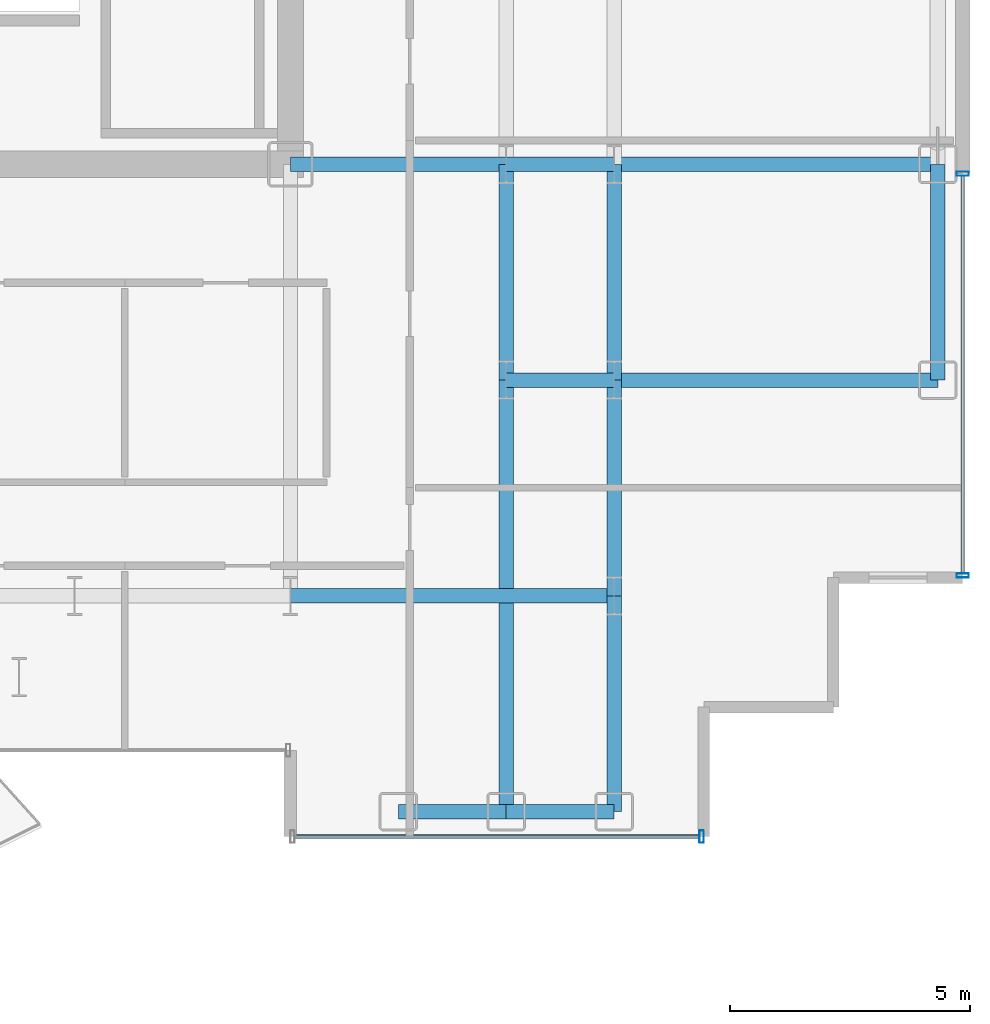
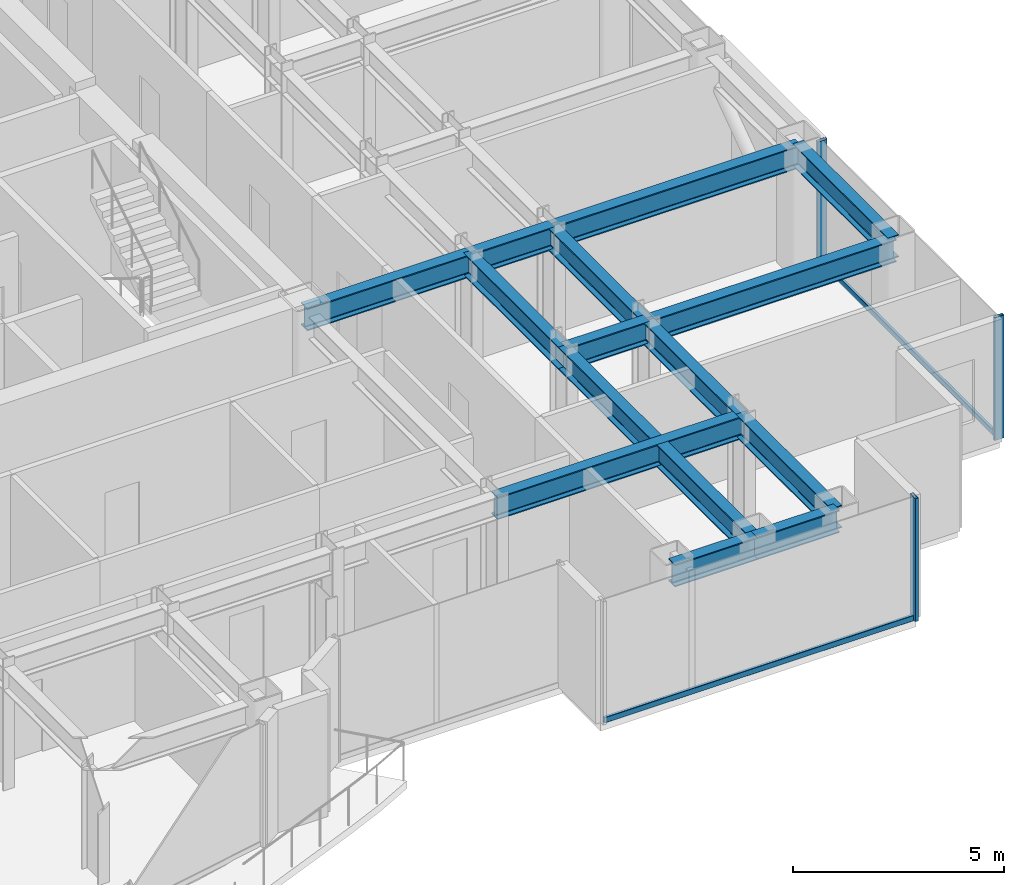
# One storey, part 10 of 26: 14 beams, 5 members, 2 elements without a shape of their own.
"""IFC4 building model written with IfcOpenShell, lengths in metres."""

import ifcopenshell
import ifcopenshell.guid

model = None  # the IFC model being written
_history = None  # IfcOwnerHistory: only IFC2X3 demands one
_inside = {}  # id of a spatial element -> (the spatial element, [elements in it])
_under = {}  # id of a project, library or spatial element -> (it, [spatial elements below it])
_declared = {}  # id of a project -> (the project, [libraries it declares])
_typed = {}  # id of a type object -> (the type object, [elements of that type])
_made_of = {}  # id of a material, layer set ... -> (it, [elements and type objects made of it])


def new_model(schema):
    """Start an empty IFC model of exactly this schema.

    Asked for "IFC4X3", IfcOpenShell would pick the latest addendum, in which some entities
    have other attributes; the version numbers below select the first issue.
    IFC2X3 requires an IfcOwnerHistory on every rooted entity: one is made here for all.
    """
    global model, _history
    if schema == "IFC4X3":
        model = ifcopenshell.file(schema_version=(4, 3, 0, 0))
    else:
        model = ifcopenshell.file(schema=schema)
    _inside.clear()
    _under.clear()
    _declared.clear()
    _typed.clear()
    _made_of.clear()
    _history = None
    if model.schema == "IFC2X3":
        org = make("IfcOrganization", Name="unknown")
        user = make(
            "IfcPersonAndOrganization",
            ThePerson=make("IfcPerson", FamilyName="unknown"),
            TheOrganization=org,
        )
        app = make(
            "IfcApplication",
            ApplicationDeveloper=org,
            Version="unknown",
            ApplicationFullName="unknown",
            ApplicationIdentifier="unknown",
        )
        _history = make(
            "IfcOwnerHistory",
            OwningUser=user,
            OwningApplication=app,
            ChangeAction="ADDED",
            CreationDate=0,
        )
    return model


def make(cls, **values):
    """One entity of the class cls with the attributes given. An attribute that is None is left unset."""
    return model.create_entity(
        cls, **{name: value for name, value in values.items() if value is not None}
    )


def rooted(cls, **values):
    """An entity with a GlobalId (a new one), such as an element, a storey or a relation."""
    return make(cls, GlobalId=ifcopenshell.guid.new(), OwnerHistory=_history, **values)


def si_unit(unit_type, name, prefix=None):
    """IfcSIUnit, for example si_unit("LENGTHUNIT", "METRE", prefix="MILLI")."""
    return make("IfcSIUnit", UnitType=unit_type, Prefix=prefix, Name=name)


def assignment(units):
    """IfcUnitAssignment: the units of a project."""
    return None if units is None else make("IfcUnitAssignment", Units=units)


def point(xyz):
    """IfcCartesianPoint."""
    return None if xyz is None else make("IfcCartesianPoint", Coordinates=xyz)


def direction(xyz):
    """IfcDirection."""
    return None if xyz is None else make("IfcDirection", DirectionRatios=xyz)


def frame(location, z_axis=None, x_axis=None):
    """IfcAxis2Placement3D, a coordinate frame: its origin and axes. An axis left out is left unset."""
    return make(
        "IfcAxis2Placement3D",
        Location=point(location),
        Axis=direction(z_axis),
        RefDirection=direction(x_axis),
    )


def frame_2d(location, x_axis=None):
    """IfcAxis2Placement2D, a coordinate frame in the plane: its origin and x axis."""
    return make(
        "IfcAxis2Placement2D", Location=point(location), RefDirection=direction(x_axis)
    )


def origin():
    """The frame at (0, 0, 0) with its axes left unset."""
    return frame((0.0, 0.0, 0.0))


def origin_2d():
    """The frame at (0, 0) in the plane with its x axis left unset."""
    return frame_2d((0.0, 0.0))


def place(relative_to, where):
    """IfcLocalPlacement: puts the frame where relative to a parent placement (None: the world)."""
    return make(
        "IfcLocalPlacement", PlacementRelTo=relative_to, RelativePlacement=where
    )


def context(
    kind, dimensions, precision=None, world=None, true_north=None, identifier=None
):
    """IfcGeometricRepresentationContext, for example the 3D "Model" context."""
    return make(
        "IfcGeometricRepresentationContext",
        ContextIdentifier=identifier,
        ContextType=kind,
        CoordinateSpaceDimension=dimensions,
        Precision=precision,
        WorldCoordinateSystem=world,
        TrueNorth=true_north,
    )


def subcontext(parent, identifier, kind, view, scale=None):
    """IfcGeometricRepresentationSubContext, for example "Body" below "Model"."""
    return make(
        "IfcGeometricRepresentationSubContext",
        ContextIdentifier=identifier,
        ContextType=kind,
        ParentContext=parent,
        TargetScale=scale,
        TargetView=view,
    )


def project(units=None, contexts=None):
    """IfcProject with its units and contexts."""
    return rooted(
        "IfcProject",
        Name="project",
        RepresentationContexts=contexts,
        UnitsInContext=assignment(units),
    )


def spatial(cls, under=None, at=None, **own):
    """A site, building, storey or space (cls), placed at a placement, below another one or the project."""
    s = rooted(cls, ObjectPlacement=at, **own)
    if under is not None:
        _under.setdefault(under.id(), (under, []))[1].append(s)
    return s


def profile(cls, at=None, kind="AREA", **sizes):
    """A parametric profile (cls). Its sizes go by their IFC names, for example OverallWidth=200.0."""
    return make(cls, ProfileType=kind, Position=at, **sizes)


def hollow_rectangle(**sizes):
    """IfcRectangleHollowProfileDef."""
    return profile("IfcRectangleHollowProfileDef", **sizes)


def i_section(**sizes):
    """IfcIShapeProfileDef."""
    return profile("IfcIShapeProfileDef", **sizes)


def extrude(swept, where, along, depth):
    """IfcExtrudedAreaSolid: the profile swept, set in the frame where, extruded along a direction by depth."""
    return make(
        "IfcExtrudedAreaSolid",
        SweptArea=swept,
        Position=where,
        ExtrudedDirection=direction(along),
        Depth=depth,
    )


def shape(context_of_items, identifier, shape_type, items):
    """IfcShapeRepresentation: the items that make up one representation, for example the "Body"."""
    return make(
        "IfcShapeRepresentation",
        ContextOfItems=context_of_items,
        RepresentationIdentifier=identifier,
        RepresentationType=shape_type,
        Items=items,
    )


def source(mapping_origin, context_of_items, identifier, shape_type, items):
    """IfcRepresentationMap: a shape defined once, which mapped items show again and again."""
    return make(
        "IfcRepresentationMap",
        MappingOrigin=mapping_origin,
        MappedRepresentation=shape(context_of_items, identifier, shape_type, items),
    )


def transform(
    local_origin,
    x_axis=None,
    y_axis=None,
    z_axis=None,
    scale=None,
    scale2=None,
    scale3=None,
    uniform=True,
):
    """IfcCartesianTransformationOperator3D, or its non-uniform kind. x_axis, y_axis, z_axis: its Axis1, 2, 3."""
    if uniform:
        return make(
            "IfcCartesianTransformationOperator3D",
            Axis1=direction(x_axis),
            Axis2=direction(y_axis),
            LocalOrigin=point(local_origin),
            Scale=scale,
            Axis3=direction(z_axis),
        )
    return make(
        "IfcCartesianTransformationOperator3DnonUniform",
        Axis1=direction(x_axis),
        Axis2=direction(y_axis),
        LocalOrigin=point(local_origin),
        Scale=scale,
        Axis3=direction(z_axis),
        Scale2=scale2,
        Scale3=scale3,
    )


def mapped(mapping_source, mapping_target):
    """IfcMappedItem: shows the shape of a source again, moved by a transform."""
    return make(
        "IfcMappedItem", MappingSource=mapping_source, MappingTarget=mapping_target
    )


def material(Name=None, Category=None):
    """IfcMaterial."""
    return make("IfcMaterial", Name=Name, Category=Category)


def layer(
    of_material, thickness, ventilated=None, Name=None, Category=None, Priority=None
):
    """IfcMaterialLayer: one layer of a wall or slab, of a material (None: an air gap)."""
    return make(
        "IfcMaterialLayer",
        Material=of_material,
        LayerThickness=thickness,
        IsVentilated=ventilated,
        Name=Name,
        Category=Category,
        Priority=Priority,
    )


def layer_set(layers, Name=None):
    """IfcMaterialLayerSet."""
    return make("IfcMaterialLayerSet", MaterialLayers=layers, LayerSetName=Name)


def material_profile(
    of_material, cross_section, Name=None, Category=None, Priority=None
):
    """IfcMaterialProfile: a cross section and its material."""
    return make(
        "IfcMaterialProfile",
        Name=Name,
        Material=of_material,
        Profile=cross_section,
        Priority=Priority,
        Category=Category,
    )


def profile_set(profiles, Name=None, composite=None):
    """IfcMaterialProfileSet."""
    return make(
        "IfcMaterialProfileSet",
        Name=Name,
        MaterialProfiles=profiles,
        CompositeProfile=composite,
    )


def made_of(thing, what):
    """Note that an element or type object is made of a material, layer set ...; save() writes the relation."""
    if what is not None:
        _made_of.setdefault(what.id(), (what, []))[1].append(thing)
    return thing


def type_object(cls, material=None, **own):
    """A type object (cls), such as IfcWallType, which elements share."""
    return made_of(rooted(cls, **own), material)


def element(
    cls,
    number,
    at=None,
    inside=None,
    cuts=None,
    type_object=None,
    material=None,
    context=None,
    identifier="Body",
    shape_type=None,
    held_by="IfcProductDefinitionShape",
    body=None,
    shapes=None,
    **own,
):
    """One element of the class cls, such as IfcWall. Its Tag is "e" and its number.

    at: its placement. inside: the storey or other place that contains it. cuts: it is an
    opening in that element (IfcRelVoidsElement). A single representation is given by context,
    identifier, shape_type and body (its items); several are given by shapes. held_by: the class
    of the entity that holds the representations. save() writes the other relations.
    """
    e = rooted(cls, Tag="e%d" % number, ObjectPlacement=at, **own)
    if body is not None:
        shapes = [shape(context, identifier, shape_type, body)]
    if shapes is not None:
        e.Representation = make(held_by, Representations=shapes)
    if inside is not None:
        _inside.setdefault(inside.id(), (inside, []))[1].append(e)
    if cuts is not None:
        rooted(
            "IfcRelVoidsElement", RelatingBuildingElement=cuts, RelatedOpeningElement=e
        )
    if type_object is not None:
        _typed.setdefault(type_object.id(), (type_object, []))[1].append(e)
    return made_of(e, material)


def aggregate(whole, parts):
    """IfcRelAggregates: a whole, such as a stair, and the parts it consists of."""
    return rooted("IfcRelAggregates", RelatingObject=whole, RelatedObjects=parts)


def save(model, path):
    """Write the relations noted so far, then the file.

    IfcRelAggregates (storeys below a building ...), IfcRelContainedInSpatialStructure (elements
    in a storey), IfcRelDefinesByType, IfcRelAssociatesMaterial and IfcRelDeclares: one each for
    every whole, place, type object, material and project.
    """
    for whole, parts in _under.values():
        aggregate(whole, parts)
    for where, things in _inside.values():
        rooted(
            "IfcRelContainedInSpatialStructure",
            RelatedElements=things,
            RelatingStructure=where,
        )
    for kind, things in _typed.values():
        rooted("IfcRelDefinesByType", RelatedObjects=things, RelatingType=kind)
    for what, things in _made_of.values():
        rooted("IfcRelAssociatesMaterial", RelatedObjects=things, RelatingMaterial=what)
    for by, libraries in _declared.values():
        rooted("IfcRelDeclares", RelatingContext=by, RelatedDefinitions=libraries)
    model.write(path)


model = new_model("IFC4")

# Units and contexts
model_context = context("Model", 3, precision=1e-05, world=origin(), true_north=direction((0.0, 1.0)))
body_context = subcontext(model_context, "Body", "Model", "MODEL_VIEW")
ifc_project = project(units=[si_unit("LENGTHUNIT", "METRE"), si_unit("AREAUNIT", "SQUARE_METRE"), si_unit("VOLUMEUNIT", "CUBIC_METRE"), si_unit("PLANEANGLEUNIT", "RADIAN"), si_unit("MASSUNIT", "GRAM", prefix="KILO")], contexts=[model_context])

# Site, building, storey
site_placement = place(None, origin())
site = spatial("IfcSite", under=ifc_project, at=site_placement, CompositionType="ELEMENT")
building_placement = place(site_placement, origin())
building = spatial("IfcBuilding", under=site, at=building_placement, Name="Nefas-Gora Pilgrimage Tower", CompositionType="ELEMENT")
storey_placement = place(building_placement, frame((0.0, 0.0, 171.60009765625)))
storey = spatial("IfcBuildingStorey", under=building, at=storey_placement, Name="L42", CompositionType="ELEMENT", Elevation=171.60009765625)

# Beams
ifc_material_1 = material(Name="Steel S355", Category="steel")
ifc_material_profile_1 = material_profile(ifc_material_1, i_section(OverallWidth=0.300048828125, OverallDepth=0.64990234375, WebThickness=0.01611328125, FlangeThickness=0.031005859375, FilletRadius=0.027099609375, at=origin_2d()), Name="HEB 650")
ifc_profile_set_1 = profile_set([ifc_material_profile_1], Name="Steel S355")
beam_type_1 = type_object("IfcBeamType", Name="BM-SPN-HEB500", PredefinedType="SPANDREL", material=ifc_profile_set_1)
shared_shape_1 = source(origin(), body_context, "Body", "SweptSolid", [
    extrude(i_section(OverallWidth=0.300048828125, OverallDepth=0.64990234375, WebThickness=0.01611328125, FlangeThickness=0.031005859375, FilletRadius=0.027099609375, at=origin_2d()), origin(), (0.0, 0.0, 1.0), 4.5),
])
beam_1_placement = place(storey_placement, frame((24.75, -13.5, 3.224853515625), z_axis=(0.0, 1.0, 0.0), x_axis=(-1.0, 0.0, 0.0)))
element("IfcBeam", 1, at=beam_1_placement, inside=storey, type_object=beam_type_1, Name="L42 SP-02 beam", PredefinedType="SPANDREL", context=body_context, shape_type="MappedRepresentation", body=[
    mapped(shared_shape_1, transform((0.0, 0.0, 0.0), x_axis=(1.0, 0.0, 0.0), y_axis=(0.0, 1.0, 0.0), z_axis=(0.0, 0.0, 1.0), scale=1.0)),
])
ifc_material_profile_2 = material_profile(ifc_material_1, i_section(OverallWidth=0.300048828125, OverallDepth=0.64990234375, WebThickness=0.01611328125, FlangeThickness=0.031005859375, FilletRadius=0.027099609375, at=origin_2d()), Name="HEB 650")
ifc_profile_set_2 = profile_set([ifc_material_profile_2], Name="Steel S355")
beam_type_2 = type_object("IfcBeamType", Name="BM-GIR-HEB650", PredefinedType="BEAM", material=ifc_profile_set_2)
shared_shape_2 = source(origin(), body_context, "Body", "SweptSolid", [
    extrude(i_section(OverallWidth=0.300048828125, OverallDepth=0.64990234375, WebThickness=0.01611328125, FlangeThickness=0.031005859375, FilletRadius=0.027099609375, at=origin_2d()), origin(), (0.0, 0.0, 1.0), 9.0),
])
beam_2_placement = place(storey_placement, frame((15.75, -22.5, 3.224853515625), z_axis=(0.0, 1.0, 0.0), x_axis=(-1.0, 0.0, 0.0)))
element("IfcBeam", 2, at=beam_2_placement, inside=storey, type_object=beam_type_2, Name="L42 G-03 beam", PredefinedType="BEAM", context=body_context, shape_type="MappedRepresentation", body=[
    mapped(shared_shape_2, transform((0.0, 0.0, 0.0), x_axis=(1.0, 0.0, 0.0), y_axis=(0.0, 1.0, 0.0), z_axis=(0.0, 0.0, 1.0), scale=1.0)),
])
shared_shape_3 = source(origin(), body_context, "Body", "SweptSolid", [
    extrude(i_section(OverallWidth=0.300048828125, OverallDepth=0.64990234375, WebThickness=0.01611328125, FlangeThickness=0.031005859375, FilletRadius=0.027099609375, at=origin_2d()), origin(), (0.0, 0.0, 1.0), 4.5),
])
for number, where, z_axis, x_axis, name in (
    (3, (11.25, -9.0, 3.224853515625), (1.0, 0.0, 0.0), (0.0, 1.0, 0.0), "L42 G-03 beam"),
    (4, (15.75, -13.5, 3.224853515625), (0.0, 1.0, 0.0), (-1.0, 0.0, 0.0), "L42 G-03 beam"),
    (5, (18.0, -22.5, 3.224853515625), (0.0, 1.0, 0.0), (-1.0, 0.0, 0.0), "L42 G-03 beam"),
    (6, (18.0, -18.0, 3.224853515625), (0.0, 1.0, 0.0), (-1.0, 0.0, 0.0), "L42 G-03 beam"),
    (7, (18.0, -13.5, 3.224853515625), (0.0, 1.0, 0.0), (-1.0, 0.0, 0.0), "L42 G-03 beam"),
):
    element("IfcBeam", number, at=place(storey_placement, frame(where, z_axis=z_axis, x_axis=x_axis)), inside=storey, type_object=beam_type_2, Name=name, PredefinedType="BEAM", context=body_context, shape_type="MappedRepresentation", body=[
        mapped(shared_shape_3, transform((0.0, 0.0, 0.0), x_axis=(1.0, 0.0, 0.0), y_axis=(0.0, 1.0, 0.0), z_axis=(0.0, 0.0, 1.0), scale=1.0)),
    ])
shared_shape_4 = source(origin(), body_context, "Body", "SweptSolid", [
    extrude(i_section(OverallWidth=0.300048828125, OverallDepth=0.64990234375, WebThickness=0.01611328125, FlangeThickness=0.031005859375, FilletRadius=0.027099609375, at=origin_2d()), origin(), (0.0, 0.0, 1.0), 6.75),
])
for number, where, z_axis, x_axis, name in (
    (8, (11.25, -18.0, 3.224853515625), (1.0, 0.0, 0.0), (0.0, 1.0, 0.0), "L42 G-03 beam"),
    (9, (18.0, -13.5, 3.224853515625), (1.0, 0.0, 0.0), (0.0, 1.0, 0.0), "L42 G-03 beam"),
    (10, (18.0, -9.0, 3.224853515625), (1.0, 0.0, 0.0), (0.0, 1.0, 0.0), "L42 G-03 beam"),
):
    element("IfcBeam", number, at=place(storey_placement, frame(where, z_axis=z_axis, x_axis=x_axis)), inside=storey, type_object=beam_type_2, Name=name, PredefinedType="BEAM", context=body_context, shape_type="MappedRepresentation", body=[
        mapped(shared_shape_4, transform((0.0, 0.0, 0.0), x_axis=(1.0, 0.0, 0.0), y_axis=(0.0, 1.0, 0.0), z_axis=(0.0, 0.0, 1.0), scale=1.0)),
    ])
shared_shape_5 = source(origin(), body_context, "Body", "SweptSolid", [
    extrude(i_section(OverallWidth=0.300048828125, OverallDepth=0.64990234375, WebThickness=0.01611328125, FlangeThickness=0.031005859375, FilletRadius=0.027099609375, at=origin_2d()), origin(), (0.0, 0.0, 1.0), 2.25),
])
for number, where, z_axis, x_axis, name in (
    (11, (13.5, -22.5, 3.224853515625), (1.0, 0.0, 0.0), (0.0, 1.0, 0.0), "L42 SP-02 beam"),
    (12, (15.75, -22.5, 3.224853515625), (1.0, 0.0, 0.0), (0.0, 1.0, 0.0), "L42 SP-02 beam"),
):
    element("IfcBeam", number, at=place(storey_placement, frame(where, z_axis=z_axis, x_axis=x_axis)), inside=storey, type_object=beam_type_1, Name=name, PredefinedType="SPANDREL", context=body_context, shape_type="MappedRepresentation", body=[
        mapped(shared_shape_5, transform((0.0, 0.0, 0.0), x_axis=(1.0, 0.0, 0.0), y_axis=(0.0, 1.0, 0.0), z_axis=(0.0, 0.0, 1.0), scale=1.0)),
    ])
shared_shape_6 = source(origin(), body_context, "Body", "SweptSolid", [
    extrude(i_section(OverallWidth=0.300048828125, OverallDepth=0.64990234375, WebThickness=0.01611328125, FlangeThickness=0.031005859375, FilletRadius=0.027099609375, at=origin_2d()), origin(), (0.0, 0.0, 1.0), 2.25),
])
for number, where, z_axis, x_axis, name in (
    (13, (15.75, -13.5, 3.224853515625), (1.0, 0.0, 0.0), (0.0, 1.0, 0.0), "L42 G-03 beam"),
    (14, (15.75, -9.0, 3.224853515625), (1.0, 0.0, 0.0), (0.0, 1.0, 0.0), "L42 G-03 beam"),
):
    element("IfcBeam", number, at=place(storey_placement, frame(where, z_axis=z_axis, x_axis=x_axis)), inside=storey, type_object=beam_type_2, Name=name, PredefinedType="BEAM", context=body_context, shape_type="MappedRepresentation", body=[
        mapped(shared_shape_6, transform((0.0, 0.0, 0.0), x_axis=(1.0, 0.0, 0.0), y_axis=(0.0, 1.0, 0.0), z_axis=(0.0, 0.0, 1.0), scale=1.0)),
    ])

# Curtain wall, member
ifc_material_2 = material(Name="Dark ceramic-fritted solar-control aluminium-glass curtain wall", Category="aluminium")
ifc_layer = layer(ifc_material_2, 0.219970703125)
ifc_layer_set = layer_set([ifc_layer], Name="Dark ceramic-fritted solar-control aluminium-glass curtain wall")
curtain_wall_type = type_object("IfcCurtainWallType", Name="CW-SYS-3", PredefinedType="NOTDEFINED", material=ifc_layer_set)
curtain_wall_1_placement = place(storey_placement, origin())
curtain_wall_1 = element("IfcCurtainWall", 15, at=curtain_wall_1_placement, inside=storey, type_object=curtain_wall_type, Name="L42 Unitised Curtain Wall CW3", PredefinedType="NOTDEFINED")
ifc_material_3 = material(Name="Anodised architectural aluminium", Category="aluminium")
ifc_material_profile_3 = material_profile(ifc_material_3, hollow_rectangle(XDim=0.080078125, YDim=0.159912109375, WallThickness=0.00439453125, InnerFilletRadius=0.00439453125, OuterFilletRadius=0.009033203125, at=origin_2d()), Name="ALU TRANSOM 80x160")
ifc_profile_set_3 = profile_set([ifc_material_profile_3], Name="Anodised architectural aluminium")
member_type_1 = type_object("IfcMemberType", Name="CWM-TRN-3", PredefinedType="USERDEFINED", material=ifc_profile_set_3)
shared_shape_7 = source(origin(), body_context, "Body", "SweptSolid", [
    extrude(hollow_rectangle(XDim=0.080078125, YDim=0.159912109375, WallThickness=0.00439453125, InnerFilletRadius=0.00439453125, OuterFilletRadius=0.009033203125, at=origin_2d()), origin(), (0.0, 0.0, 1.0), 8.43994140625),
])
member_1_placement = place(storey_placement, frame((11.340087890625, -23.02001953125, 0.0498046875), z_axis=(1.0, 0.0, 0.0), x_axis=(0.0, 1.0, 0.0)))
member_1 = element("IfcMember", 16, at=member_1_placement, type_object=member_type_1, Name="CW3 Spandrel Transom", ObjectType="TRANSOM", PredefinedType="USERDEFINED", context=body_context, shape_type="MappedRepresentation", body=[
    mapped(shared_shape_7, transform((0.0, 0.0, 0.0), x_axis=(1.0, 0.0, 0.0), y_axis=(0.0, 1.0, 0.0), z_axis=(0.0, 0.0, 1.0), scale=1.0)),
])

curtain_wall_2_placement = place(storey_placement, origin())
curtain_wall_2 = element("IfcCurtainWall", 17, at=curtain_wall_2_placement, inside=storey, type_object=curtain_wall_type, Name="L42 Unitised Curtain Wall CW3", PredefinedType="NOTDEFINED")
shared_shape_8 = source(origin(), body_context, "Body", "SweptSolid", [
    extrude(hollow_rectangle(XDim=0.080078125, YDim=0.159912109375, WallThickness=0.00439453125, InnerFilletRadius=0.00439453125, OuterFilletRadius=0.009033203125, at=origin_2d()), origin(), (0.0, 0.0, 1.0), 8.2900390625),
])
member_2_placement = place(storey_placement, frame((25.27001953125, -17.530029296875, 0.0498046875), z_axis=(0.0, 1.0, 0.0), x_axis=(-1.0, 0.0, 0.0)))
member_2 = element("IfcMember", 18, at=member_2_placement, type_object=member_type_1, Name="CW3 Spandrel Transom", ObjectType="TRANSOM", PredefinedType="USERDEFINED", context=body_context, shape_type="MappedRepresentation", body=[
    mapped(shared_shape_8, transform((0.0, 0.0, 0.0), x_axis=(1.0, 0.0, 0.0), y_axis=(0.0, 1.0, 0.0), z_axis=(0.0, 0.0, 1.0), scale=1.0)),
])

# Member
ifc_material_profile_4 = material_profile(ifc_material_3, hollow_rectangle(XDim=0.090087890625, YDim=0.260009765625, WallThickness=0.006103515625, InnerFilletRadius=0.006103515625, OuterFilletRadius=0.011962890625, at=origin_2d()), Name="ALU MULLION 90x260")
ifc_profile_set_4 = profile_set([ifc_material_profile_4], Name="Anodised architectural aluminium")
member_type_2 = type_object("IfcMemberType", Name="CWM-MUL-3", PredefinedType="MULLION", material=ifc_profile_set_4)
shared_shape_9 = source(origin(), body_context, "Body", "SweptSolid", [
    extrude(hollow_rectangle(XDim=0.090087890625, YDim=0.260009765625, WallThickness=0.006103515625, InnerFilletRadius=0.006103515625, OuterFilletRadius=0.011962890625, at=origin_2d()), origin(), (0.0, 0.0, 1.0), 3.5498046875),
])
member_3_placement = place(storey_placement, frame((19.824951171875, -23.02001953125, 0.0), z_axis=(0.0, 0.0, 1.0), x_axis=(1.0, 0.0, 0.0)))
member_3 = element("IfcMember", 19, at=member_3_placement, type_object=member_type_2, Name="CW3 Mullion 2", PredefinedType="MULLION", context=body_context, shape_type="MappedRepresentation", body=[
    mapped(shared_shape_9, transform((0.0, 0.0, 0.0), x_axis=(1.0, 0.0, 0.0), y_axis=(0.0, 1.0, 0.0), z_axis=(0.0, 0.0, 1.0), scale=1.0)),
])

aggregate(curtain_wall_1, [member_3, member_1])

member_4_placement = place(storey_placement, frame((25.27001953125, -17.574951171875, 0.0), z_axis=(0.0, 0.0, 1.0), x_axis=(0.0, 1.0, 0.0)))
member_4 = element("IfcMember", 20, at=member_4_placement, type_object=member_type_2, Name="CW3 Mullion 1", PredefinedType="MULLION", context=body_context, shape_type="MappedRepresentation", body=[
    mapped(shared_shape_9, transform((0.0, 0.0, 0.0), x_axis=(1.0, 0.0, 0.0), y_axis=(0.0, 1.0, 0.0), z_axis=(0.0, 0.0, 1.0), scale=1.0)),
])

member_5_placement = place(storey_placement, frame((25.27001953125, -9.195068359375, 0.0), z_axis=(0.0, 0.0, 1.0), x_axis=(0.0, 1.0, 0.0)))
member_5 = element("IfcMember", 21, at=member_5_placement, type_object=member_type_2, Name="CW3 Mullion 2", PredefinedType="MULLION", context=body_context, shape_type="MappedRepresentation", body=[
    mapped(shared_shape_9, transform((0.0, 0.0, 0.0), x_axis=(1.0, 0.0, 0.0), y_axis=(0.0, 1.0, 0.0), z_axis=(0.0, 0.0, 1.0), scale=1.0)),
])

aggregate(curtain_wall_2, [member_4, member_5, member_2])

save(model, "model.ifc")
